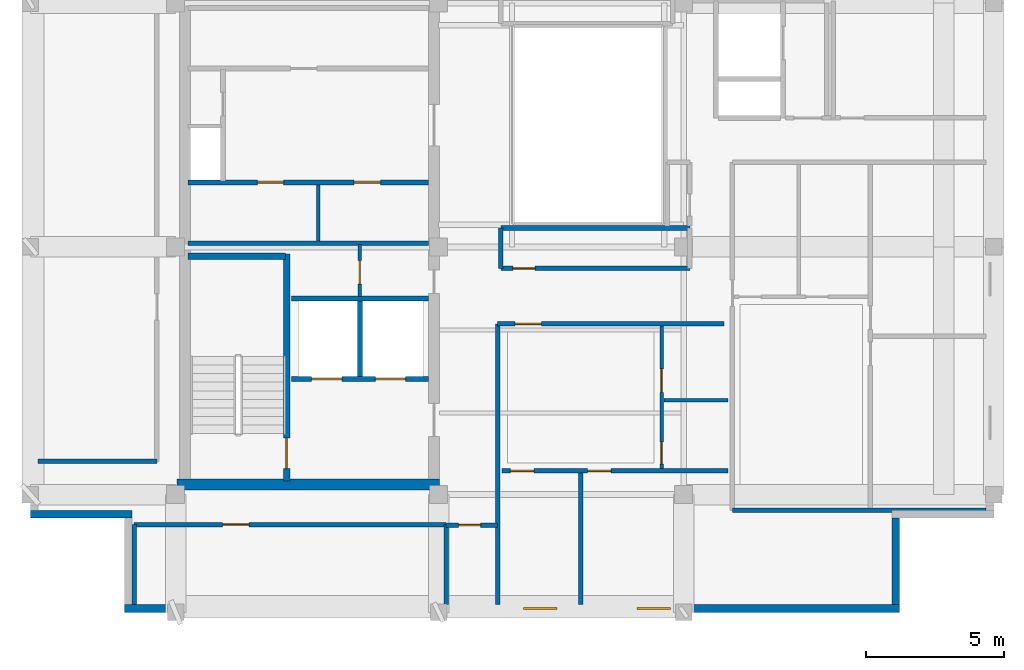
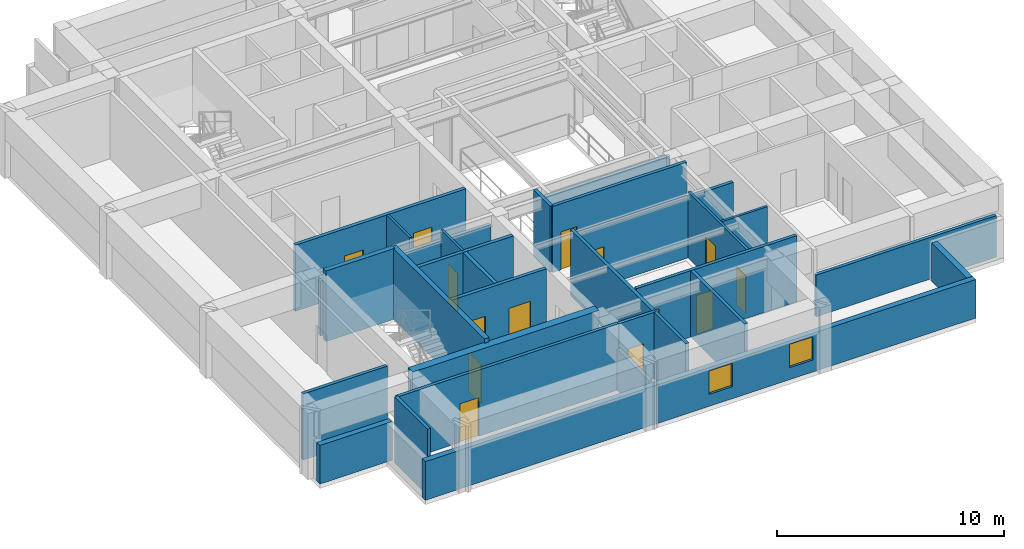
# One storey, part 2 of 6: 28 walls, 14 doors, 2 windows, 16 openings.
"""IFC4 building model written with IfcOpenShell, lengths in metres."""

from ifc_helpers import new_model, si_unit, direction, frame, frame_2d, origin, place, context, subcontext, project, spatial, rectangle, extrude, material, layer, layer_set, type_object, element, fill, save


model = new_model("IFC4")

# Units and contexts
model_context = context("Model", 3, precision=1e-05, world=origin(), true_north=direction((0.0, 1.0)))
body_context = subcontext(model_context, "Body", "Model", "MODEL_VIEW")
ifc_project = project(units=[si_unit("LENGTHUNIT", "METRE"), si_unit("AREAUNIT", "SQUARE_METRE"), si_unit("VOLUMEUNIT", "CUBIC_METRE"), si_unit("PLANEANGLEUNIT", "RADIAN"), si_unit("MASSUNIT", "GRAM", prefix="KILO")], contexts=[model_context])

# Site, building, storey
site_placement = place(None, origin())
site = spatial("IfcSite", under=ifc_project, at=site_placement, CompositionType="ELEMENT")
building_placement = place(site_placement, origin())
building = spatial("IfcBuilding", under=site, at=building_placement, Name="Kundavana Baori Tower", CompositionType="ELEMENT")
storey_placement = place(building_placement, frame((0.0, 0.0, 331.5)))
storey = spatial("IfcBuildingStorey", under=building, at=storey_placement, Name="L82", CompositionType="ELEMENT", Elevation=331.5)

# Wall
ifc_material_1 = material(Name="Concrete C50/60", Category="concrete")
ifc_layer_1 = layer(ifc_material_1, 0.39990234375, Name="WL-CORE-400")
ifc_layer_set_1 = layer_set([ifc_layer_1], Name="Concrete C50/60")
wall_type_1 = type_object("IfcWallType", Name="WL-CORE-400", PredefinedType="SHEAR", material=ifc_layer_set_1)
wall_1_placement = place(storey_placement, frame((15.5, 15.610107421875, 0.0), z_axis=(0.0, 0.0, 1.0), x_axis=(1.0, 0.0, 0.0)))
element("IfcWall", 1, at=wall_1_placement, inside=storey, type_object=wall_type_1, Name="L82 Offset Core South Shear Wall", PredefinedType="SHEAR", context=body_context, shape_type="SweptSolid", body=[
    extrude(rectangle(XDim=9.47998046875, YDim=0.39990234375, at=frame_2d((4.739990234375, 0.0))), origin(), (0.0, 0.0, 1.0), 3.56005859375),
])

# Wall, opening, door
wall_2_placement = place(storey_placement, frame((19.4599609375, 15.739990234375, 0.0), z_axis=(0.0, 0.0, 1.0), x_axis=(0.0, 1.0, 0.0)))
wall_2 = element("IfcWall", 2, at=wall_2_placement, inside=storey, type_object=wall_type_1, Name="WL-L82-ST1-E", PredefinedType="SHEAR", context=body_context, shape_type="SweptSolid", body=[
    extrude(rectangle(XDim=8.199951171875, YDim=0.239990234375, at=frame_2d((4.10009765625, 0.0))), origin(), (0.0, 0.0, 1.0), 3.800048828125),
])
opening_1_placement = place(wall_2_placement, frame((0.449951171875, 0.0, 0.0)))
opening_1 = element("IfcOpeningElement", 3, at=opening_1_placement, cuts=wall_2, Name="Opening FD-110", PredefinedType="OPENING", context=body_context, shape_type="SweptSolid", body=[
    extrude(rectangle(XDim=1.10009765625, YDim=2.10009765625, at=frame_2d((0.550048828125, 1.050048828125))), frame((0.0, 0.1298828125, 0.0), z_axis=(0.0, -1.0, 0.0), x_axis=(1.0, 0.0, 0.0)), (0.0, 0.0, 1.0), 0.260009765625),
])
ifc_material_2 = material(Name="Galvanised Steel Fire-Rated Door Leaf", Category="steel")
door_type_1 = type_object("IfcDoorType", Name="DR-FD120-1100", OperationType="NOTDEFINED", PredefinedType="DOOR", material=ifc_material_2)
door_1_placement = place(opening_1_placement, origin())
door_1 = element("IfcDoor", 4, at=door_1_placement, inside=storey, type_object=door_type_1, Name="DR-L82-ST1", OperationType="SINGLE_SWING_LEFT", OverallHeight=2.10009765625, OverallWidth=1.10009765625, PredefinedType="DOOR", context=body_context, shape_type="SweptSolid", body=[
    extrude(rectangle(XDim=1.10009765625, YDim=2.10009765625, at=frame_2d((0.550048828125, 1.050048828125))), frame((0.0, 0.02490234375, 0.0), z_axis=(0.0, -1.0, 0.0), x_axis=(1.0, 0.0, 0.0)), (0.0, 0.0, 1.0), 0.050048828125),
])
fill(opening_1, door_1)

# Wall
wall_3_placement = place(storey_placement, frame((15.89990234375, 23.860107421875, 0.0), z_axis=(0.0, 0.0, 1.0), x_axis=(1.0, 0.0, 0.0)))
element("IfcWall", 5, at=wall_3_placement, inside=storey, type_object=wall_type_1, Name="WL-L82-ST1-N", PredefinedType="SHEAR", context=body_context, shape_type="SweptSolid", body=[
    extrude(rectangle(XDim=3.52001953125, YDim=0.239990234375, at=frame_2d((1.760009765625, 0.0))), origin(), (0.0, 0.0, 1.0), 3.800048828125),
])

# Wall, openings, windows
ifc_material_3 = material(Name="Red-Buff Dholpur Sandstone Cladding on Concrete C40/50", Category="masonry")
ifc_layer_2 = layer(ifc_material_3, 0.280029296875, Name="WL-EXT-SAND-280")
ifc_layer_set_2 = layer_set([ifc_layer_2], Name="Red-Buff Dholpur Sandstone Cladding on Concrete C40/50")
wall_type_2 = type_object("IfcWallType", Name="WL-EXT-SAND-280", PredefinedType="STANDARD", material=ifc_layer_set_2)
wall_4_placement = place(storey_placement, frame((13.60009765625, 11.139892578125, 0.0), z_axis=(0.0, 0.0, 1.0), x_axis=(1.0, 0.0, 0.0)))
wall_4 = element("IfcWall", 6, at=wall_4_placement, inside=storey, type_object=wall_type_2, Name="L82 Exterior Insulated Facade Wall 01", PredefinedType="STANDARD", context=body_context, shape_type="SweptSolid", body=[
    extrude(rectangle(XDim=28.0, YDim=0.280029296875, at=frame_2d((14.0, 0.0))), origin(), (0.0, 0.0, 1.0), 2.080078125),
])
opening_2_placement = place(wall_4_placement, frame((14.419921875, 0.0, 0.64990234375)))
opening_2 = element("IfcOpeningElement", 7, at=opening_2_placement, cuts=wall_4, Name="Opening W-12", PredefinedType="OPENING", context=body_context, shape_type="SweptSolid", body=[
    extrude(rectangle(XDim=1.199951171875, YDim=1.25, at=frame_2d((0.60009765625, 0.625))), frame((0.0, 0.14990234375, 0.0), z_axis=(0.0, -1.0, 0.0), x_axis=(1.0, 0.0, 0.0)), (0.0, 0.0, 1.0), 0.300048828125),
])
opening_3_placement = place(wall_4_placement, frame((18.52099609375, 0.0, 0.64990234375)))
opening_3 = element("IfcOpeningElement", 8, at=opening_3_placement, cuts=wall_4, Name="Opening W-12", PredefinedType="OPENING", context=body_context, shape_type="SweptSolid", body=[
    extrude(rectangle(XDim=1.199951171875, YDim=1.25, at=frame_2d((0.60009765625, 0.625))), frame((0.0, 0.14990234375, 0.0), z_axis=(0.0, -1.0, 0.0), x_axis=(1.0, 0.0, 0.0)), (0.0, 0.0, 1.0), 0.300048828125),
])
ifc_material_4 = material(Name="Double-Glazed Solar-Control Low-E Insulated Glass", Category="glass")
window_type = type_object("IfcWindowType", Name="WIN-TRN-1200x1250", PartitioningType="SINGLE_PANEL", PredefinedType="WINDOW", material=ifc_material_4)
window_1_placement = place(opening_2_placement, origin())
window_1 = element("IfcWindow", 9, at=window_1_placement, inside=storey, type_object=window_type, Name="L82 Dwelling Outlook Window DW-1", OverallHeight=1.25, OverallWidth=1.199951171875, PartitioningType="SINGLE_PANEL", PredefinedType="WINDOW", context=body_context, shape_type="SweptSolid", body=[
    extrude(rectangle(XDim=1.199951171875, YDim=1.25, at=frame_2d((0.60009765625, 0.625))), frame((0.0, 0.030029296875, 0.0), z_axis=(0.0, -1.0, 0.0), x_axis=(1.0, 0.0, 0.0)), (0.0, 0.0, 1.0), 0.06005859375),
])
fill(opening_2, window_1)
window_2_placement = place(opening_3_placement, origin())
window_2 = element("IfcWindow", 10, at=window_2_placement, inside=storey, type_object=window_type, Name="L82 Dwelling Outlook Window DW-2", OverallHeight=1.25, OverallWidth=1.199951171875, PartitioningType="SINGLE_PANEL", PredefinedType="WINDOW", context=body_context, shape_type="SweptSolid", body=[
    extrude(rectangle(XDim=1.199951171875, YDim=1.25, at=frame_2d((0.60009765625, 0.625))), frame((0.0, 0.030029296875, 0.0), z_axis=(0.0, -1.0, 0.0), x_axis=(1.0, 0.0, 0.0)), (0.0, 0.0, 1.0), 0.06005859375),
])
fill(opening_3, window_2)

# Walls
wall_5_placement = place(storey_placement, frame((41.4599609375, 11.280029296875, 0.0), z_axis=(0.0, 0.0, 1.0), x_axis=(0.0, 1.0, 0.0)))
element("IfcWall", 11, at=wall_5_placement, inside=storey, type_object=wall_type_2, Name="L82 Exterior Insulated Facade Wall 02", PredefinedType="STANDARD", context=body_context, shape_type="SweptSolid", body=[
    extrude(rectangle(XDim=3.119873046875, YDim=0.280029296875, at=frame_2d((1.56005859375, 0.0))), origin(), (0.0, 0.0, 1.0), 2.080078125),
])
wall_6_placement = place(storey_placement, frame((10.199951171875, 14.5400390625, 0.0), z_axis=(0.0, 0.0, 1.0), x_axis=(1.0, 0.0, 0.0)))
element("IfcWall", 12, at=wall_6_placement, inside=storey, type_object=wall_type_2, Name="L82 Exterior Insulated Facade Wall 11", PredefinedType="STANDARD", context=body_context, shape_type="SweptSolid", body=[
    extrude(rectangle(XDim=3.679931640625, YDim=0.280029296875, at=frame_2d((1.83984375, 0.0))), origin(), (0.0, 0.0, 1.0), 2.080078125),
])

# Wall, opening, door
ifc_material_5 = material(Name="Acoustic Gypsum Plasterboard on Galvanised Steel Studs", Category="steel")
ifc_layer_3 = layer(ifc_material_5, 0.1201171875, Name="WL-PART-120")
ifc_layer_set_3 = layer_set([ifc_layer_3], Name="Acoustic Gypsum Plasterboard on Galvanised Steel Studs")
wall_type_3 = type_object("IfcWallType", Name="WL-PART-120", PredefinedType="PARTITIONING", material=ifc_layer_set_3)
wall_7_placement = place(storey_placement, frame((22.10009765625, 22.39990234375, 0.0), z_axis=(0.0, 0.0, 1.0), x_axis=(0.0, 1.0, 0.0)))
wall_7 = element("IfcWall", 13, at=wall_7_placement, inside=storey, type_object=wall_type_3, Name="WL-L82-CSMK-D1", PredefinedType="PARTITIONING", context=body_context, shape_type="SweptSolid", body=[
    extrude(rectangle(XDim=1.880126953125, YDim=0.1201171875, at=frame_2d((0.93994140625, 0.0))), origin(), (0.0, 0.0, 1.0), 3.56005859375),
])
opening_4_placement = place(wall_7_placement, frame((0.449951171875, 0.0, 0.0)))
opening_4 = element("IfcOpeningElement", 14, at=opening_4_placement, cuts=wall_7, Name="Opening FD-085", PredefinedType="OPENING", context=body_context, shape_type="SweptSolid", body=[
    extrude(rectangle(XDim=0.85009765625, YDim=2.06005859375, at=frame_2d((0.425048828125, 1.030029296875))), frame((0.0, 0.070068359375, 0.0), z_axis=(0.0, -1.0, 0.0), x_axis=(1.0, 0.0, 0.0)), (0.0, 0.0, 1.0), 0.14013671875),
])
ifc_material_6 = material(Name="Galvanised Steel Fire-Rated Door Leaf", Category="steel")
door_type_2 = type_object("IfcDoorType", Name="DR-FD60-850", OperationType="NOTDEFINED", PredefinedType="DOOR", material=ifc_material_6)
door_2_placement = place(opening_4_placement, origin())
door_2 = element("IfcDoor", 15, at=door_2_placement, inside=storey, type_object=door_type_2, Name="DR-L82-CSMK1", OperationType="SINGLE_SWING_LEFT", OverallHeight=2.06005859375, OverallWidth=0.85009765625, PredefinedType="DOOR", context=body_context, shape_type="SweptSolid", body=[
    extrude(rectangle(XDim=0.85009765625, YDim=2.06005859375, at=frame_2d((0.425048828125, 1.030029296875))), frame((0.0, 0.02490234375, 0.0), z_axis=(0.0, -1.0, 0.0), x_axis=(1.0, 0.0, 0.0)), (0.0, 0.0, 1.0), 0.050048828125),
])
fill(opening_4, door_2)

# Wall
wall_8_placement = place(storey_placement, frame((20.60009765625, 24.419921875, 0.0), z_axis=(0.0, 0.0, 1.0), x_axis=(0.0, 1.0, 0.0)))
element("IfcWall", 16, at=wall_8_placement, inside=storey, type_object=wall_type_3, Name="WL-L82-FRLOW-DIV", PredefinedType="PARTITIONING", context=body_context, shape_type="SweptSolid", body=[
    extrude(rectangle(XDim=2.02001953125, YDim=0.1201171875, at=frame_2d((1.010009765625, 0.0))), origin(), (0.0, 0.0, 1.0), 3.56005859375),
])

# Wall, opening, door
ifc_material_7 = material(Name="Fire-Rated Gypsum Drywall on Galvanised Steel Studs", Category="steel")
ifc_layer_4 = layer(ifc_material_7, 0.1650390625, Name="WL-PART-165")
ifc_layer_set_4 = layer_set([ifc_layer_4], Name="Fire-Rated Gypsum Drywall on Galvanised Steel Studs")
wall_type_4 = type_object("IfcWallType", Name="WL-PART-165", PredefinedType="PARTITIONING", material=ifc_layer_set_4)
wall_9_placement = place(storey_placement, frame((27.080078125, 21.419921875, 0.0), z_axis=(0.0, 0.0, 1.0), x_axis=(1.0, 0.0, 0.0)))
wall_9 = element("IfcWall", 17, at=wall_9_placement, inside=storey, type_object=wall_type_4, Name="WL-L82-RS", PredefinedType="PARTITIONING", context=body_context, shape_type="SweptSolid", body=[
    extrude(rectangle(XDim=8.169921875, YDim=0.1650390625, at=frame_2d((4.0849609375, 0.0))), origin(), (0.0, 0.0, 1.0), 3.260009765625),
])
opening_5_placement = place(wall_9_placement, frame((0.6298828125, 0.0, 0.0)))
opening_5 = element("IfcOpeningElement", 18, at=opening_5_placement, cuts=wall_9, Name="Opening FD-095", PredefinedType="OPENING", context=body_context, shape_type="SweptSolid", body=[
    extrude(rectangle(XDim=0.949951171875, YDim=2.10009765625, at=frame_2d((0.47509765625, 1.050048828125))), frame((0.0, 0.092529296875, 0.0), z_axis=(0.0, -1.0, 0.0), x_axis=(1.0, 0.0, 0.0)), (0.0, 0.0, 1.0), 0.18505859375),
])
ifc_material_8 = material(Name="Engineered Teak Fire-Rated Timber Door Leaf", Category="wood")
door_type_3 = type_object("IfcDoorType", Name="DR-FD60-950", OperationType="NOTDEFINED", PredefinedType="DOOR", material=ifc_material_8)
door_3_placement = place(opening_5_placement, frame((0.949951171875, 0.0, 0.0), z_axis=(0.0, 0.0, 1.0), x_axis=(-1.0, 0.0, 0.0)))
door_3 = element("IfcDoor", 19, at=door_3_placement, inside=storey, type_object=door_type_3, Name="DR-L82-S1-ENT", OperationType="SINGLE_SWING_RIGHT", OverallHeight=2.10009765625, OverallWidth=0.949951171875, PredefinedType="DOOR", context=body_context, shape_type="SweptSolid", body=[
    extrude(rectangle(XDim=0.949951171875, YDim=2.10009765625, at=frame_2d((0.47509765625, 1.050048828125))), frame((0.0, 0.02490234375, 0.0), z_axis=(0.0, -1.0, 0.0), x_axis=(1.0, 0.0, 0.0)), (0.0, 0.0, 1.0), 0.050048828125),
])
fill(opening_5, door_3)

# Wall
wall_10_placement = place(storey_placement, frame((27.080078125, 11.280029296875, 0.0), z_axis=(0.0, 0.0, 1.0), x_axis=(0.0, 1.0, 0.0)))
element("IfcWall", 20, at=wall_10_placement, inside=storey, type_object=wall_type_4, Name="WL-L82-RSW", PredefinedType="PARTITIONING", context=body_context, shape_type="SweptSolid", body=[
    extrude(rectangle(XDim=10.139892578125, YDim=0.1650390625, at=frame_2d((5.06982421875, 0.0))), origin(), (0.0, 0.0, 1.0), 3.56005859375),
])

# Wall, opening, door
wall_11_placement = place(storey_placement, frame((13.949951171875, 14.169921875, 0.0), z_axis=(0.0, 0.0, 1.0), x_axis=(1.0, 0.0, 0.0)))
wall_11 = element("IfcWall", 21, at=wall_11_placement, inside=storey, type_object=wall_type_4, Name="WL-L82-RSC", PredefinedType="PARTITIONING", context=body_context, shape_type="SweptSolid", body=[
    extrude(rectangle(XDim=11.27001953125, YDim=0.1650390625, at=frame_2d((5.635009765625, 0.0))), origin(), (0.0, 0.0, 1.0), 3.56005859375),
])
opening_6_placement = place(wall_11_placement, frame((3.199951171875, 0.0, 0.0)))
opening_6 = element("IfcOpeningElement", 22, at=opening_6_placement, cuts=wall_11, Name="Opening ID-095", PredefinedType="OPENING", context=body_context, shape_type="SweptSolid", body=[
    extrude(rectangle(XDim=0.949951171875, YDim=2.080078125, at=frame_2d((0.47509765625, 1.0400390625))), frame((0.0, 0.092529296875, 0.0), z_axis=(0.0, -1.0, 0.0), x_axis=(1.0, 0.0, 0.0)), (0.0, 0.0, 1.0), 0.18505859375),
])
ifc_material_9 = material(Name="Engineered Teak Solid-Core Timber Veneer", Category="wood")
door_type_4 = type_object("IfcDoorType", Name="DR-INT-950", OperationType="NOTDEFINED", PredefinedType="DOOR", material=ifc_material_9)
door_4_placement = place(opening_6_placement, frame((0.949951171875, 0.0, 0.0), z_axis=(0.0, 0.0, 1.0), x_axis=(-1.0, 0.0, 0.0)))
door_4 = element("IfcDoor", 23, at=door_4_placement, inside=storey, type_object=door_type_4, Name="DR-L82-RMSW", OperationType="SINGLE_SWING_LEFT", OverallHeight=2.080078125, OverallWidth=0.949951171875, PredefinedType="DOOR", context=body_context, shape_type="SweptSolid", body=[
    extrude(rectangle(XDim=0.949951171875, YDim=2.080078125, at=frame_2d((0.47509765625, 1.0400390625))), frame((0.0, 0.02490234375, 0.0), z_axis=(0.0, -1.0, 0.0), x_axis=(1.0, 0.0, 0.0)), (0.0, 0.0, 1.0), 0.050048828125),
])
fill(opening_6, door_4)

# Walls
wall_12_placement = place(storey_placement, frame((13.949951171875, 11.280029296875, 0.0), z_axis=(0.0, 0.0, 1.0), x_axis=(0.0, 1.0, 0.0)))
element("IfcWall", 24, at=wall_12_placement, inside=storey, type_object=wall_type_4, Name="WL-L82-RSCW", PredefinedType="PARTITIONING", context=body_context, shape_type="SweptSolid", body=[
    extrude(rectangle(XDim=2.889892578125, YDim=0.1650390625, at=frame_2d((1.44482421875, 0.0))), origin(), (0.0, 0.0, 1.0), 3.56005859375),
])
wall_13_placement = place(storey_placement, frame((25.219970703125, 11.280029296875, 0.0), z_axis=(0.0, 0.0, 1.0), x_axis=(0.0, 1.0, 0.0)))
element("IfcWall", 25, at=wall_13_placement, inside=storey, type_object=wall_type_4, Name="WL-L82-RSCE", PredefinedType="PARTITIONING", context=body_context, shape_type="SweptSolid", body=[
    extrude(rectangle(XDim=2.889892578125, YDim=0.1650390625, at=frame_2d((1.44482421875, 0.0))), origin(), (0.0, 0.0, 1.0), 2.239990234375),
])
wall_14_placement = place(storey_placement, frame((10.47998046875, 16.449951171875, 0.0), z_axis=(0.0, 0.0, 1.0), x_axis=(1.0, 0.0, 0.0)))
element("IfcWall", 26, at=wall_14_placement, inside=storey, type_object=wall_type_4, Name="WL-L82-RWS", PredefinedType="PARTITIONING", context=body_context, shape_type="SweptSolid", body=[
    extrude(rectangle(XDim=4.2900390625, YDim=0.1650390625, at=frame_2d((2.14501953125, 0.0))), origin(), (0.0, 0.0, 1.0), 3.56005859375),
])

# Wall, openings, doors
wall_15_placement = place(storey_placement, frame((27.239990234375, 16.10888671875, 0.0), z_axis=(0.0, 0.0, 1.0), x_axis=(1.0, 0.0, 0.0)))
wall_15 = element("IfcWall", 27, at=wall_15_placement, inside=storey, type_object=wall_type_4, Name="WL-L82-S1-HZ", PredefinedType="PARTITIONING", context=body_context, shape_type="SweptSolid", body=[
    extrude(rectangle(XDim=8.159912109375, YDim=0.1650390625, at=frame_2d((4.080078125, 0.0))), origin(), (0.0, 0.0, 1.0), 3.56005859375),
])
opening_7_placement = place(wall_15_placement, frame((0.300048828125, 0.0, 0.0)))
opening_7 = element("IfcOpeningElement", 28, at=opening_7_placement, cuts=wall_15, Name="Opening ID-085", PredefinedType="OPENING", context=body_context, shape_type="SweptSolid", body=[
    extrude(rectangle(XDim=0.85009765625, YDim=2.080078125, at=frame_2d((0.425048828125, 1.0400390625))), frame((0.0, 0.092529296875, 0.0), z_axis=(0.0, -1.0, 0.0), x_axis=(1.0, 0.0, 0.0)), (0.0, 0.0, 1.0), 0.18505859375),
])
opening_8_placement = place(wall_15_placement, frame((3.090087890625, 0.0, 0.0)))
opening_8 = element("IfcOpeningElement", 29, at=opening_8_placement, cuts=wall_15, Name="Opening ID-085", PredefinedType="OPENING", context=body_context, shape_type="SweptSolid", body=[
    extrude(rectangle(XDim=0.85009765625, YDim=2.080078125, at=frame_2d((0.425048828125, 1.0400390625))), frame((0.0, 0.092529296875, 0.0), z_axis=(0.0, -1.0, 0.0), x_axis=(1.0, 0.0, 0.0)), (0.0, 0.0, 1.0), 0.18505859375),
])
ifc_material_10 = material(Name="Engineered Teak Solid-Core Timber Veneer", Category="wood")
door_type_5 = type_object("IfcDoorType", Name="DR-INT-850", OperationType="NOTDEFINED", PredefinedType="DOOR", material=ifc_material_10)
door_5_placement = place(opening_7_placement, frame((0.85009765625, 0.0, 0.0), z_axis=(0.0, 0.0, 1.0), x_axis=(-1.0, 0.0, 0.0)))
door_5 = element("IfcDoor", 30, at=door_5_placement, inside=storey, type_object=door_type_5, Name="DR-L82-S1-B1", OperationType="SINGLE_SWING_LEFT", OverallHeight=2.080078125, OverallWidth=0.85009765625, PredefinedType="DOOR", context=body_context, shape_type="SweptSolid", body=[
    extrude(rectangle(XDim=0.85009765625, YDim=2.080078125, at=frame_2d((0.425048828125, 1.0400390625))), frame((0.0, 0.02490234375, 0.0), z_axis=(0.0, -1.0, 0.0), x_axis=(1.0, 0.0, 0.0)), (0.0, 0.0, 1.0), 0.050048828125),
])
fill(opening_7, door_5)
door_6_placement = place(opening_8_placement, frame((0.85009765625, 0.0, 0.0), z_axis=(0.0, 0.0, 1.0), x_axis=(-1.0, 0.0, 0.0)))
door_6 = element("IfcDoor", 31, at=door_6_placement, inside=storey, type_object=door_type_5, Name="DR-L82-S1-B2", OperationType="SINGLE_SWING_RIGHT", OverallHeight=2.080078125, OverallWidth=0.85009765625, PredefinedType="DOOR", context=body_context, shape_type="SweptSolid", body=[
    extrude(rectangle(XDim=0.85009765625, YDim=2.080078125, at=frame_2d((0.425048828125, 1.0400390625))), frame((0.0, 0.02490234375, 0.0), z_axis=(0.0, -1.0, 0.0), x_axis=(1.0, 0.0, 0.0)), (0.0, 0.0, 1.0), 0.050048828125),
])
fill(opening_8, door_6)

# Walls
wall_16_placement = place(storey_placement, frame((30.080078125, 11.280029296875, 0.0), z_axis=(0.0, 0.0, 1.0), x_axis=(0.0, 1.0, 0.0)))
element("IfcWall", 32, at=wall_16_placement, inside=storey, type_object=wall_type_4, Name="WL-L82-S1-BDV", PredefinedType="PARTITIONING", context=body_context, shape_type="SweptSolid", body=[
    extrude(rectangle(XDim=4.7490234375, YDim=0.1650390625, at=frame_2d((2.37451171875, 0.0))), origin(), (0.0, 0.0, 1.0), 3.56005859375),
])
wall_17_placement = place(storey_placement, frame((35.56005859375, 14.679931640625, 0.0), z_axis=(0.0, 0.0, 1.0), x_axis=(1.0, 0.0, 0.0)))
element("IfcWall", 33, at=wall_17_placement, inside=storey, type_object=wall_type_4, Name="WL-L82-CSES", PredefinedType="PARTITIONING", context=body_context, shape_type="SweptSolid", body=[
    extrude(rectangle(XDim=9.159912109375, YDim=0.1650390625, at=frame_2d((4.580078125, 0.0))), origin(), (0.0, 0.0, 1.0), 2.239990234375),
])

# Wall, opening, door
wall_18_placement = place(storey_placement, frame((27.199951171875, 23.419921875, 0.0), z_axis=(0.0, 0.0, 1.0), x_axis=(1.0, 0.0, 0.0)))
wall_18 = element("IfcWall", 34, at=wall_18_placement, inside=storey, type_object=wall_type_4, Name="WL-L82-ALS", PredefinedType="PARTITIONING", context=body_context, shape_type="SweptSolid", body=[
    extrude(rectangle(XDim=6.820068359375, YDim=0.1650390625, at=frame_2d((3.41015625, 0.0))), origin(), (0.0, 0.0, 1.0), 3.56005859375),
])
opening_9_placement = place(wall_18_placement, frame((0.429931640625, 0.0, 0.0)))
opening_9 = element("IfcOpeningElement", 35, at=opening_9_placement, cuts=wall_18, Name="Opening WD-080", PredefinedType="OPENING", context=body_context, shape_type="SweptSolid", body=[
    extrude(rectangle(XDim=0.800048828125, YDim=2.050048828125, at=frame_2d((0.39990234375, 1.02490234375))), frame((0.0, 0.092529296875, 0.0), z_axis=(0.0, -1.0, 0.0), x_axis=(1.0, 0.0, 0.0)), (0.0, 0.0, 1.0), 0.18505859375),
])
ifc_material_11 = material(Name="Engineered Teak Solid-Core Timber Veneer", Category="wood")
door_type_6 = type_object("IfcDoorType", Name="DR-WET-800", OperationType="NOTDEFINED", PredefinedType="DOOR", material=ifc_material_11)
door_7_placement = place(opening_9_placement, origin())
door_7 = element("IfcDoor", 36, at=door_7_placement, inside=storey, type_object=door_type_6, Name="DR-L82-RALC1", OperationType="SINGLE_SWING_LEFT", OverallHeight=2.050048828125, OverallWidth=0.800048828125, PredefinedType="DOOR", context=body_context, shape_type="SweptSolid", body=[
    extrude(rectangle(XDim=0.800048828125, YDim=2.050048828125, at=frame_2d((0.39990234375, 1.02490234375))), frame((0.0, 0.02490234375, 0.0), z_axis=(0.0, -1.0, 0.0), x_axis=(1.0, 0.0, 0.0)), (0.0, 0.0, 1.0), 0.050048828125),
])
fill(opening_9, door_7)

# Walls
wall_19_placement = place(storey_placement, frame((27.199951171875, 24.8798828125, 0.0), z_axis=(0.0, 0.0, 1.0), x_axis=(1.0, 0.0, 0.0)))
element("IfcWall", 37, at=wall_19_placement, inside=storey, type_object=wall_type_4, Name="WL-L82-ALN", PredefinedType="PARTITIONING", context=body_context, shape_type="SweptSolid", body=[
    extrude(rectangle(XDim=6.820068359375, YDim=0.1650390625, at=frame_2d((3.41015625, 0.0))), origin(), (0.0, 0.0, 1.0), 3.010009765625),
])
wall_20_placement = place(storey_placement, frame((27.199951171875, 23.419921875, 0.0), z_axis=(0.0, 0.0, 1.0), x_axis=(0.0, 1.0, 0.0)))
element("IfcWall", 38, at=wall_20_placement, inside=storey, type_object=wall_type_4, Name="WL-L82-ALW", PredefinedType="PARTITIONING", context=body_context, shape_type="SweptSolid", body=[
    extrude(rectangle(XDim=1.4599609375, YDim=0.1650390625, at=frame_2d((0.72998046875, 0.0))), origin(), (0.0, 0.0, 1.0), 3.56005859375),
])

# Wall, opening, door
wall_21_placement = place(storey_placement, frame((25.219970703125, 14.14990234375, 0.0), z_axis=(0.0, 0.0, 1.0), x_axis=(1.0, 0.0, 0.0)))
wall_21 = element("IfcWall", 39, at=wall_21_placement, inside=storey, type_object=wall_type_4, Name="WL-L82-CSCN", PredefinedType="PARTITIONING", context=body_context, shape_type="SweptSolid", body=[
    extrude(rectangle(XDim=1.860107421875, YDim=0.1650390625, at=frame_2d((0.93017578125, 0.0))), origin(), (0.0, 0.0, 1.0), 3.56005859375),
])
opening_10_placement = place(wall_21_placement, frame((0.449951171875, 0.0, 0.0)))
opening_10 = element("IfcOpeningElement", 40, at=opening_10_placement, cuts=wall_21, Name="Opening WD-080", PredefinedType="OPENING", context=body_context, shape_type="SweptSolid", body=[
    extrude(rectangle(XDim=0.800048828125, YDim=2.050048828125, at=frame_2d((0.39990234375, 1.02490234375))), frame((0.0, 0.092529296875, 0.0), z_axis=(0.0, -1.0, 0.0), x_axis=(1.0, 0.0, 0.0)), (0.0, 0.0, 1.0), 0.18505859375),
])
door_8_placement = place(opening_10_placement, origin())
door_8 = element("IfcDoor", 41, at=door_8_placement, inside=storey, type_object=door_type_6, Name="DR-L82-CSCS", OperationType="SINGLE_SWING_LEFT", OverallHeight=2.050048828125, OverallWidth=0.800048828125, PredefinedType="DOOR", context=body_context, shape_type="SweptSolid", body=[
    extrude(rectangle(XDim=0.800048828125, YDim=2.050048828125, at=frame_2d((0.39990234375, 1.02490234375))), frame((0.0, 0.02490234375, 0.0), z_axis=(0.0, -1.0, 0.0), x_axis=(1.0, 0.0, 0.0)), (0.0, 0.0, 1.0), 0.050048828125),
])
fill(opening_10, door_8)

# Wall, openings, doors
ifc_material_12 = material(Name="Autoclaved Aerated Concrete Blockwork Masonry", Category="masonry")
ifc_layer_5 = layer(ifc_material_12, 0.179931640625, Name="WL-SHAFT-180")
ifc_layer_set_5 = layer_set([ifc_layer_5], Name="Autoclaved Aerated Concrete Blockwork Masonry")
wall_type_5 = type_object("IfcWallType", Name="WL-SHAFT-180", PredefinedType="SOLIDWALL", material=ifc_layer_set_5)
wall_22_placement = place(storey_placement, frame((19.639892578125, 19.419921875, 0.0), z_axis=(0.0, 0.0, 1.0), x_axis=(1.0, 0.0, 0.0)))
wall_22 = element("IfcWall", 42, at=wall_22_placement, inside=storey, type_object=wall_type_5, Name="WL-L82-FFL-S", PredefinedType="SOLIDWALL", context=body_context, shape_type="SweptSolid", body=[
    extrude(rectangle(XDim=4.940185546875, YDim=0.179931640625, at=frame_2d((2.47021484375, 0.0))), origin(), (0.0, 0.0, 1.0), 3.56005859375),
])
opening_11_placement = place(wall_22_placement, frame((0.719970703125, 0.0, 0.0)))
opening_11 = element("IfcOpeningElement", 43, at=opening_11_placement, cuts=wall_22, Name="Opening LD-110", PredefinedType="OPENING", context=body_context, shape_type="SweptSolid", body=[
    extrude(rectangle(XDim=1.10009765625, YDim=2.10009765625, at=frame_2d((0.550048828125, 1.050048828125))), frame((0.0, 0.10009765625, 0.0), z_axis=(0.0, -1.0, 0.0), x_axis=(1.0, 0.0, 0.0)), (0.0, 0.0, 1.0), 0.199951171875),
])
opening_12_placement = place(wall_22_placement, frame((3.02001953125, 0.0, 0.0)))
opening_12 = element("IfcOpeningElement", 44, at=opening_12_placement, cuts=wall_22, Name="Opening LD-110", PredefinedType="OPENING", context=body_context, shape_type="SweptSolid", body=[
    extrude(rectangle(XDim=1.10009765625, YDim=2.10009765625, at=frame_2d((0.550048828125, 1.050048828125))), frame((0.0, 0.10009765625, 0.0), z_axis=(0.0, -1.0, 0.0), x_axis=(1.0, 0.0, 0.0)), (0.0, 0.0, 1.0), 0.199951171875),
])
ifc_material_13 = material(Name="Galvanised Steel Fire-Rated Door Leaf", Category="steel")
door_type_7 = type_object("IfcDoorType", Name="DR-SLIDE-LD1100", OperationType="NOTDEFINED", PredefinedType="DOOR", material=ifc_material_13)
door_9_placement = place(opening_11_placement, origin())
door_9 = element("IfcDoor", 45, at=door_9_placement, inside=storey, type_object=door_type_7, Name="DR-L82-LD-FFL-1", OperationType="DOUBLE_DOOR_SLIDING", OverallHeight=2.10009765625, OverallWidth=1.10009765625, PredefinedType="DOOR", context=body_context, shape_type="SweptSolid", body=[
    extrude(rectangle(XDim=1.10009765625, YDim=2.10009765625, at=frame_2d((0.550048828125, 1.050048828125))), frame((0.0, 0.02490234375, 0.0), z_axis=(0.0, -1.0, 0.0), x_axis=(1.0, 0.0, 0.0)), (0.0, 0.0, 1.0), 0.050048828125),
])
fill(opening_11, door_9)
door_10_placement = place(opening_12_placement, origin())
door_10 = element("IfcDoor", 46, at=door_10_placement, inside=storey, type_object=door_type_7, Name="DR-L82-LD-FFL-2", OperationType="DOUBLE_DOOR_SLIDING", OverallHeight=2.10009765625, OverallWidth=1.10009765625, PredefinedType="DOOR", context=body_context, shape_type="SweptSolid", body=[
    extrude(rectangle(XDim=1.10009765625, YDim=2.10009765625, at=frame_2d((0.550048828125, 1.050048828125))), frame((0.0, 0.02490234375, 0.0), z_axis=(0.0, -1.0, 0.0), x_axis=(1.0, 0.0, 0.0)), (0.0, 0.0, 1.0), 0.050048828125),
])
fill(opening_12, door_10)

# Walls
wall_23_placement = place(storey_placement, frame((22.10009765625, 19.510009765625, 0.0), z_axis=(0.0, 0.0, 1.0), x_axis=(0.0, 1.0, 0.0)))
element("IfcWall", 47, at=wall_23_placement, inside=storey, type_object=wall_type_5, Name="WL-L82-FFL-MID", PredefinedType="SOLIDWALL", context=body_context, shape_type="SweptSolid", body=[
    extrude(rectangle(XDim=2.739990234375, YDim=0.179931640625, at=frame_2d((1.3701171875, 0.0))), origin(), (0.0, 0.0, 1.0), 3.56005859375),
])
wall_24_placement = place(storey_placement, frame((19.639892578125, 22.340087890625, 0.0), z_axis=(0.0, 0.0, 1.0), x_axis=(1.0, 0.0, 0.0)))
element("IfcWall", 48, at=wall_24_placement, inside=storey, type_object=wall_type_5, Name="WL-L82-FFL-N", PredefinedType="SOLIDWALL", context=body_context, shape_type="SweptSolid", body=[
    extrude(rectangle(XDim=4.940185546875, YDim=0.179931640625, at=frame_2d((2.47021484375, 0.0))), origin(), (0.0, 0.0, 1.0), 3.56005859375),
])

# Wall, openings, doors
wall_25_placement = place(storey_placement, frame((15.89990234375, 26.52001953125, 0.0), z_axis=(0.0, 0.0, 1.0), x_axis=(1.0, 0.0, 0.0)))
wall_25 = element("IfcWall", 49, at=wall_25_placement, inside=storey, type_object=wall_type_5, Name="WL-L82-LPLOW-N", PredefinedType="SOLIDWALL", context=body_context, shape_type="SweptSolid", body=[
    extrude(rectangle(XDim=8.68017578125, YDim=0.179931640625, at=frame_2d((4.340087890625, 0.0))), origin(), (0.0, 0.0, 1.0), 3.56005859375),
])
opening_13_placement = place(wall_25_placement, frame((2.5, 0.0, 0.0)))
opening_13 = element("IfcOpeningElement", 50, at=opening_13_placement, cuts=wall_25, Name="Opening FD-095", PredefinedType="OPENING", context=body_context, shape_type="SweptSolid", body=[
    extrude(rectangle(XDim=0.949951171875, YDim=2.10009765625, at=frame_2d((0.47509765625, 1.050048828125))), frame((0.0, 0.10009765625, 0.0), z_axis=(0.0, -1.0, 0.0), x_axis=(1.0, 0.0, 0.0)), (0.0, 0.0, 1.0), 0.199951171875),
])
opening_14_placement = place(wall_25_placement, frame((6.0, 0.0, 0.0)))
opening_14 = element("IfcOpeningElement", 51, at=opening_14_placement, cuts=wall_25, Name="Opening FD-095", PredefinedType="OPENING", context=body_context, shape_type="SweptSolid", body=[
    extrude(rectangle(XDim=0.949951171875, YDim=2.10009765625, at=frame_2d((0.47509765625, 1.050048828125))), frame((0.0, 0.10009765625, 0.0), z_axis=(0.0, -1.0, 0.0), x_axis=(1.0, 0.0, 0.0)), (0.0, 0.0, 1.0), 0.199951171875),
])
door_11_placement = place(opening_13_placement, origin())
door_11 = element("IfcDoor", 52, at=door_11_placement, inside=storey, type_object=door_type_3, Name="DR-L82-FRLOW1", OperationType="SINGLE_SWING_LEFT", OverallHeight=2.10009765625, OverallWidth=0.949951171875, PredefinedType="DOOR", context=body_context, shape_type="SweptSolid", body=[
    extrude(rectangle(XDim=0.949951171875, YDim=2.10009765625, at=frame_2d((0.47509765625, 1.050048828125))), frame((0.0, 0.02490234375, 0.0), z_axis=(0.0, -1.0, 0.0), x_axis=(1.0, 0.0, 0.0)), (0.0, 0.0, 1.0), 0.050048828125),
])
fill(opening_13, door_11)
door_12_placement = place(opening_14_placement, origin())
door_12 = element("IfcDoor", 53, at=door_12_placement, inside=storey, type_object=door_type_3, Name="DR-L82-FRLOW2", OperationType="SINGLE_SWING_RIGHT", OverallHeight=2.10009765625, OverallWidth=0.949951171875, PredefinedType="DOOR", context=body_context, shape_type="SweptSolid", body=[
    extrude(rectangle(XDim=0.949951171875, YDim=2.10009765625, at=frame_2d((0.47509765625, 1.050048828125))), frame((0.0, 0.02490234375, 0.0), z_axis=(0.0, -1.0, 0.0), x_axis=(1.0, 0.0, 0.0)), (0.0, 0.0, 1.0), 0.050048828125),
])
fill(opening_14, door_12)

# Wall
wall_26_placement = place(storey_placement, frame((15.89990234375, 24.330078125, 0.0), z_axis=(0.0, 0.0, 1.0), x_axis=(1.0, 0.0, 0.0)))
element("IfcWall", 54, at=wall_26_placement, inside=storey, type_object=wall_type_5, Name="WL-L82-LPLOW-S", PredefinedType="SOLIDWALL", context=body_context, shape_type="SweptSolid", body=[
    extrude(rectangle(XDim=8.68017578125, YDim=0.179931640625, at=frame_2d((4.340087890625, 0.0))), origin(), (0.0, 0.0, 1.0), 2.9599609375),
])

# Wall, openings, doors
ifc_material_14 = material(Name="Autoclaved Aerated Concrete Blockwork Masonry", Category="masonry")
ifc_layer_6 = layer(ifc_material_14, 0.125, Name="WL-WET-120")
ifc_layer_set_6 = layer_set([ifc_layer_6], Name="Autoclaved Aerated Concrete Blockwork Masonry")
wall_type_6 = type_object("IfcWallType", Name="WL-WET-120", PredefinedType="PLUMBINGWALL", material=ifc_layer_set_6)
wall_27_placement = place(storey_placement, frame((33.0, 16.18896484375, 0.0), z_axis=(0.0, 0.0, 1.0), x_axis=(0.0, 1.0, 0.0)))
wall_27 = element("IfcWall", 55, at=wall_27_placement, inside=storey, type_object=wall_type_6, Name="WL-L82-S1-KT", PredefinedType="PLUMBINGWALL", context=body_context, shape_type="SweptSolid", body=[
    extrude(rectangle(XDim=5.151123046875, YDim=0.125, at=frame_2d((2.57568359375, 0.0))), origin(), (0.0, 0.0, 1.0), 3.56005859375),
])
opening_15_placement = place(wall_27_placement, frame((0.159912109375, 0.0, 0.0)))
opening_15 = element("IfcOpeningElement", 56, at=opening_15_placement, cuts=wall_27, Name="Opening WD-080", PredefinedType="OPENING", context=body_context, shape_type="SweptSolid", body=[
    extrude(rectangle(XDim=0.800048828125, YDim=2.050048828125, at=frame_2d((0.39990234375, 1.02490234375))), frame((0.0, 0.072509765625, 0.0), z_axis=(0.0, -1.0, 0.0), x_axis=(1.0, 0.0, 0.0)), (0.0, 0.0, 1.0), 0.14501953125),
])
opening_16_placement = place(wall_27_placement, frame((2.751953125, 0.0, 0.0)))
opening_16 = element("IfcOpeningElement", 57, at=opening_16_placement, cuts=wall_27, Name="Opening ID-085", PredefinedType="OPENING", context=body_context, shape_type="SweptSolid", body=[
    extrude(rectangle(XDim=0.85009765625, YDim=2.080078125, at=frame_2d((0.425048828125, 1.0400390625))), frame((0.0, 0.072509765625, 0.0), z_axis=(0.0, -1.0, 0.0), x_axis=(1.0, 0.0, 0.0)), (0.0, 0.0, 1.0), 0.14501953125),
])
door_13_placement = place(opening_16_placement, origin())
door_13 = element("IfcDoor", 58, at=door_13_placement, inside=storey, type_object=door_type_5, Name="DR-L82-S1-KT", OperationType="SINGLE_SWING_RIGHT", OverallHeight=2.080078125, OverallWidth=0.85009765625, PredefinedType="DOOR", context=body_context, shape_type="SweptSolid", body=[
    extrude(rectangle(XDim=0.85009765625, YDim=2.080078125, at=frame_2d((0.425048828125, 1.0400390625))), frame((0.0, 0.02490234375, 0.0), z_axis=(0.0, -1.0, 0.0), x_axis=(1.0, 0.0, 0.0)), (0.0, 0.0, 1.0), 0.050048828125),
])
fill(opening_16, door_13)
door_14_placement = place(opening_15_placement, origin())
door_14 = element("IfcDoor", 59, at=door_14_placement, inside=storey, type_object=door_type_6, Name="DR-L82-S1-BT", OperationType="SINGLE_SWING_LEFT", OverallHeight=2.050048828125, OverallWidth=0.800048828125, PredefinedType="DOOR", context=body_context, shape_type="SweptSolid", body=[
    extrude(rectangle(XDim=0.800048828125, YDim=2.050048828125, at=frame_2d((0.39990234375, 1.02490234375))), frame((0.0, 0.02490234375, 0.0), z_axis=(0.0, -1.0, 0.0), x_axis=(1.0, 0.0, 0.0)), (0.0, 0.0, 1.0), 0.050048828125),
])
fill(opening_15, door_14)

# Wall
wall_28_placement = place(storey_placement, frame((33.080078125, 18.660888671875, 0.0), z_axis=(0.0, 0.0, 1.0), x_axis=(1.0, 0.0, 0.0)))
element("IfcWall", 60, at=wall_28_placement, inside=storey, type_object=wall_type_6, Name="WL-L82-S1-BT", PredefinedType="PLUMBINGWALL", context=body_context, shape_type="SweptSolid", body=[
    extrude(rectangle(XDim=2.31982421875, YDim=0.125, at=frame_2d((1.159912109375, 0.0))), origin(), (0.0, 0.0, 1.0), 3.56005859375),
])

save(model, "model.ifc")
